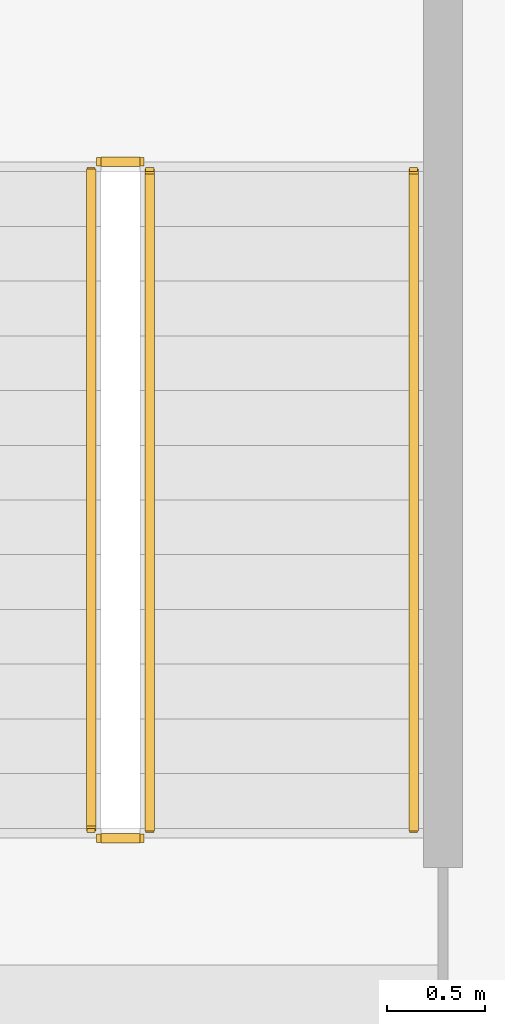
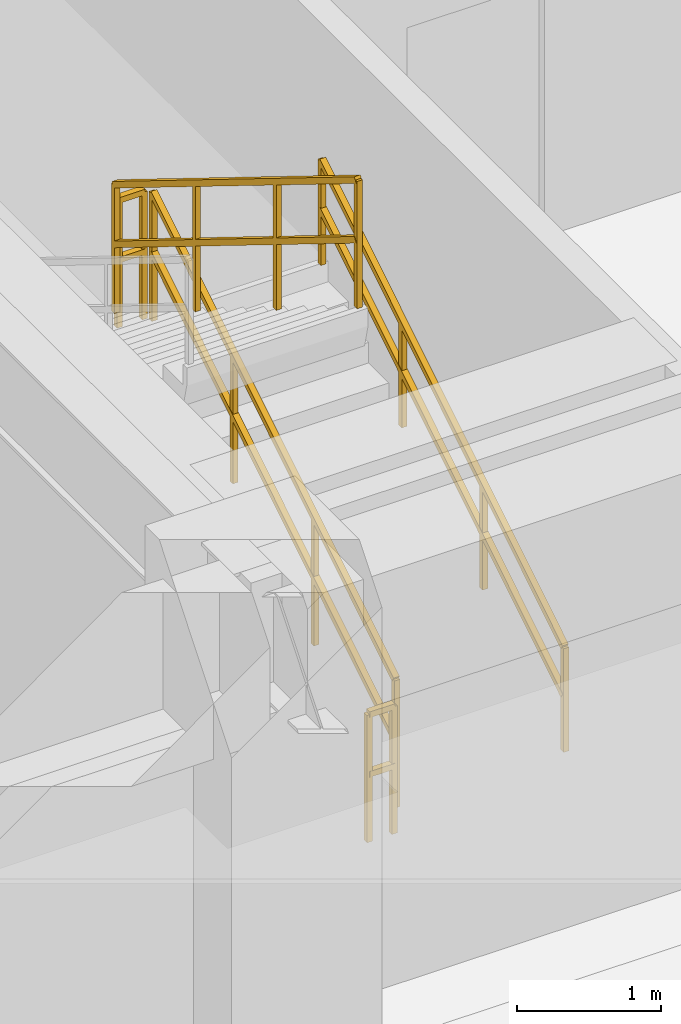
# One storey, part 21 of 24: 5 railings.
"""IFC4 building model written with IfcOpenShell, lengths in metres."""

from ifc_helpers import new_model, si_unit, direction, frame, origin, origin_2d, place, context, subcontext, project, spatial, rectangle, extrude, material, type_object, element, save


model = new_model("IFC4")

# Units and contexts
model_context = context("Model", 3, precision=1e-05, world=origin(), true_north=direction((0.0, 1.0)))
body_context = subcontext(model_context, "Body", "Model", "MODEL_VIEW")
ifc_project = project(units=[si_unit("LENGTHUNIT", "METRE"), si_unit("AREAUNIT", "SQUARE_METRE"), si_unit("VOLUMEUNIT", "CUBIC_METRE"), si_unit("PLANEANGLEUNIT", "RADIAN"), si_unit("MASSUNIT", "GRAM", prefix="KILO")], contexts=[model_context])

# Site, building, storey
site_placement = place(None, origin())
site = spatial("IfcSite", under=ifc_project, at=site_placement, CompositionType="ELEMENT")
building_placement = place(site_placement, origin())
building = spatial("IfcBuilding", under=site, at=building_placement, Name="Trelvane Seafront Commons", CompositionType="ELEMENT")
storey_placement = place(building_placement, frame((0.0, 0.0, 5.199951171875)))
storey = spatial("IfcBuildingStorey", under=building, at=storey_placement, Name="L01", CompositionType="ELEMENT", Elevation=5.199951171875)

# Railings
ifc_material = material(Name="Stainless steel balustrade", Category="steel")
railing_type_1 = type_object("IfcRailingType", Name="ARCH-SRL-GUARD", PredefinedType="GUARDRAIL", material=ifc_material)
railing_1_placement = place(storey_placement, frame((17.89990234375, 35.550048828125, 0.173095703125)))
element("IfcRailing", 1, at=railing_1_placement, inside=storey, type_object=railing_type_1, Name="L01 ST-1 stair guard 1", PredefinedType="GUARDRAIL", context=body_context, shape_type="SweptSolid", body=[
    extrude(rectangle(XDim=0.048095703125, YDim=0.048095703125, at=origin_2d()), frame((0.0, 0.0, 1.076171875), z_axis=(0.0, 0.850606129759, 0.525803396734), x_axis=(-1.0, 0.0, 0.0)), (0.0, 0.0, 1.0), 3.949951171875),
    extrude(rectangle(XDim=0.048095703125, YDim=0.048095703125, at=origin_2d()), frame((0.0, 0.0, 0.572021484375), z_axis=(0.0, 0.850606129759, 0.525803396734), x_axis=(-1.0, 0.0, 0.0)), (0.0, 0.0, 1.0), 3.949951171875),
    extrude(rectangle(XDim=0.0419921875, YDim=0.0419921875, at=origin_2d()), origin(), (0.0, 0.0, 1.0), 1.076171875),
    extrude(rectangle(XDim=0.0419921875, YDim=0.0419921875, at=origin_2d()), frame((0.0, 1.119873046875, 0.6923828125)), (0.0, 0.0, 1.0), 1.076171875),
    extrude(rectangle(XDim=0.0419921875, YDim=0.0419921875, at=origin_2d()), frame((0.0, 2.239990234375, 1.384521484375)), (0.0, 0.0, 1.0), 1.076171875),
    extrude(rectangle(XDim=0.0419921875, YDim=0.0419921875, at=origin_2d()), frame((0.0, 3.35986328125, 2.076904296875)), (0.0, 0.0, 1.0), 1.076171875),
])
railing_2_placement = place(storey_placement, frame((17.85009765625, 38.9599609375, 2.25)))
element("IfcRailing", 2, at=railing_2_placement, inside=storey, type_object=railing_type_1, Name="L01 ST-1 stair guard 2", PredefinedType="GUARDRAIL", context=body_context, shape_type="SweptSolid", body=[
    extrude(rectangle(XDim=0.048095703125, YDim=0.048095703125, at=origin_2d()), frame((0.0, 0.0, 1.076171875), z_axis=(-1.0, 0.0, 0.0), x_axis=(0.0, -1.0, 0.0)), (0.0, 0.0, 1.0), 0.2001953125),
    extrude(rectangle(XDim=0.048095703125, YDim=0.048095703125, at=origin_2d()), frame((0.0, 0.0, 0.572021484375), z_axis=(-1.0, 0.0, 0.0), x_axis=(0.0, -1.0, 0.0)), (0.0, 0.0, 1.0), 0.2001953125),
    extrude(rectangle(XDim=0.0419921875, YDim=0.0419921875, at=origin_2d()), origin(), (0.0, 0.0, 1.0), 1.076171875),
    extrude(rectangle(XDim=0.0419921875, YDim=0.0419921875, at=origin_2d()), frame((-0.2001953125, 0.0, 0.0)), (0.0, 0.0, 1.0), 1.076171875),
])
railing_3_placement = place(storey_placement, frame((17.60009765625, 38.909912109375, 2.423095703125)))
element("IfcRailing", 3, at=railing_3_placement, inside=storey, type_object=railing_type_1, Name="L01 ST-1 stair guard 3", PredefinedType="GUARDRAIL", context=body_context, shape_type="SweptSolid", body=[
    extrude(rectangle(XDim=0.048095703125, YDim=0.048095703125, at=origin_2d()), frame((0.0, 0.0, 1.076171875), z_axis=(0.0, -0.850606129759, 0.525803396734), x_axis=(1.0, 0.0, 0.0)), (0.0, 0.0, 1.0), 3.949951171875),
    extrude(rectangle(XDim=0.048095703125, YDim=0.048095703125, at=origin_2d()), frame((0.0, 0.0, 0.572021484375), z_axis=(0.0, -0.850606129759, 0.525803396734), x_axis=(1.0, 0.0, 0.0)), (0.0, 0.0, 1.0), 3.949951171875),
    extrude(rectangle(XDim=0.0419921875, YDim=0.0419921875, at=origin_2d()), origin(), (0.0, 0.0, 1.0), 1.076171875),
    extrude(rectangle(XDim=0.0419921875, YDim=0.0419921875, at=origin_2d()), frame((0.0, -1.119873046875, 0.6923828125)), (0.0, 0.0, 1.0), 1.076171875),
    extrude(rectangle(XDim=0.0419921875, YDim=0.0419921875, at=origin_2d()), frame((0.0, -2.239990234375, 1.384521484375)), (0.0, 0.0, 1.0), 1.076171875),
    extrude(rectangle(XDim=0.0419921875, YDim=0.0419921875, at=origin_2d()), frame((0.0, -3.35986328125, 2.076904296875)), (0.0, 0.0, 1.0), 1.076171875),
])
railing_4_placement = place(storey_placement, frame((17.85009765625, 35.5, 0.0)))
element("IfcRailing", 4, at=railing_4_placement, inside=storey, type_object=railing_type_1, Name="L01 ST-1 stair guard 4", PredefinedType="GUARDRAIL", context=body_context, shape_type="SweptSolid", body=[
    extrude(rectangle(XDim=0.048095703125, YDim=0.048095703125, at=origin_2d()), frame((0.0, 0.0, 1.076171875), z_axis=(-1.0, 0.0, 0.0), x_axis=(0.0, -1.0, 0.0)), (0.0, 0.0, 1.0), 0.2001953125),
    extrude(rectangle(XDim=0.048095703125, YDim=0.048095703125, at=origin_2d()), frame((0.0, 0.0, 0.572021484375), z_axis=(-1.0, 0.0, 0.0), x_axis=(0.0, -1.0, 0.0)), (0.0, 0.0, 1.0), 0.2001953125),
    extrude(rectangle(XDim=0.0419921875, YDim=0.0419921875, at=origin_2d()), origin(), (0.0, 0.0, 1.0), 1.076171875),
    extrude(rectangle(XDim=0.0419921875, YDim=0.0419921875, at=origin_2d()), frame((-0.2001953125, 0.0, 0.0)), (0.0, 0.0, 1.0), 1.076171875),
])
railing_type_2 = type_object("IfcRailingType", Name="ARCH-SRL-HAND", PredefinedType="HANDRAIL", material=ifc_material)
railing_5_placement = place(storey_placement, frame((19.25, 35.550048828125, 0.173095703125)))
element("IfcRailing", 5, at=railing_5_placement, inside=storey, type_object=railing_type_2, Name="L01 ST-1 stair handrail 1", PredefinedType="HANDRAIL", context=body_context, shape_type="SweptSolid", body=[
    extrude(rectangle(XDim=0.048095703125, YDim=0.048095703125, at=origin_2d()), frame((0.0, 0.0, 0.8759765625), z_axis=(0.0, 0.850606129759, 0.525803396734), x_axis=(-1.0, 0.0, 0.0)), (0.0, 0.0, 1.0), 3.949951171875),
    extrude(rectangle(XDim=0.048095703125, YDim=0.048095703125, at=origin_2d()), frame((0.0, 0.0, 0.468017578125), z_axis=(0.0, 0.850606129759, 0.525803396734), x_axis=(-1.0, 0.0, 0.0)), (0.0, 0.0, 1.0), 3.949951171875),
    extrude(rectangle(XDim=0.0419921875, YDim=0.0419921875, at=origin_2d()), origin(), (0.0, 0.0, 1.0), 0.8759765625),
    extrude(rectangle(XDim=0.0419921875, YDim=0.0419921875, at=origin_2d()), frame((0.0, 1.119873046875, 0.6923828125)), (0.0, 0.0, 1.0), 0.8759765625),
    extrude(rectangle(XDim=0.0419921875, YDim=0.0419921875, at=origin_2d()), frame((0.0, 2.239990234375, 1.384521484375)), (0.0, 0.0, 1.0), 0.8759765625),
    extrude(rectangle(XDim=0.0419921875, YDim=0.0419921875, at=origin_2d()), frame((0.0, 3.35986328125, 2.076904296875)), (0.0, 0.0, 1.0), 0.8759765625),
])

save(model, "model.ifc")
